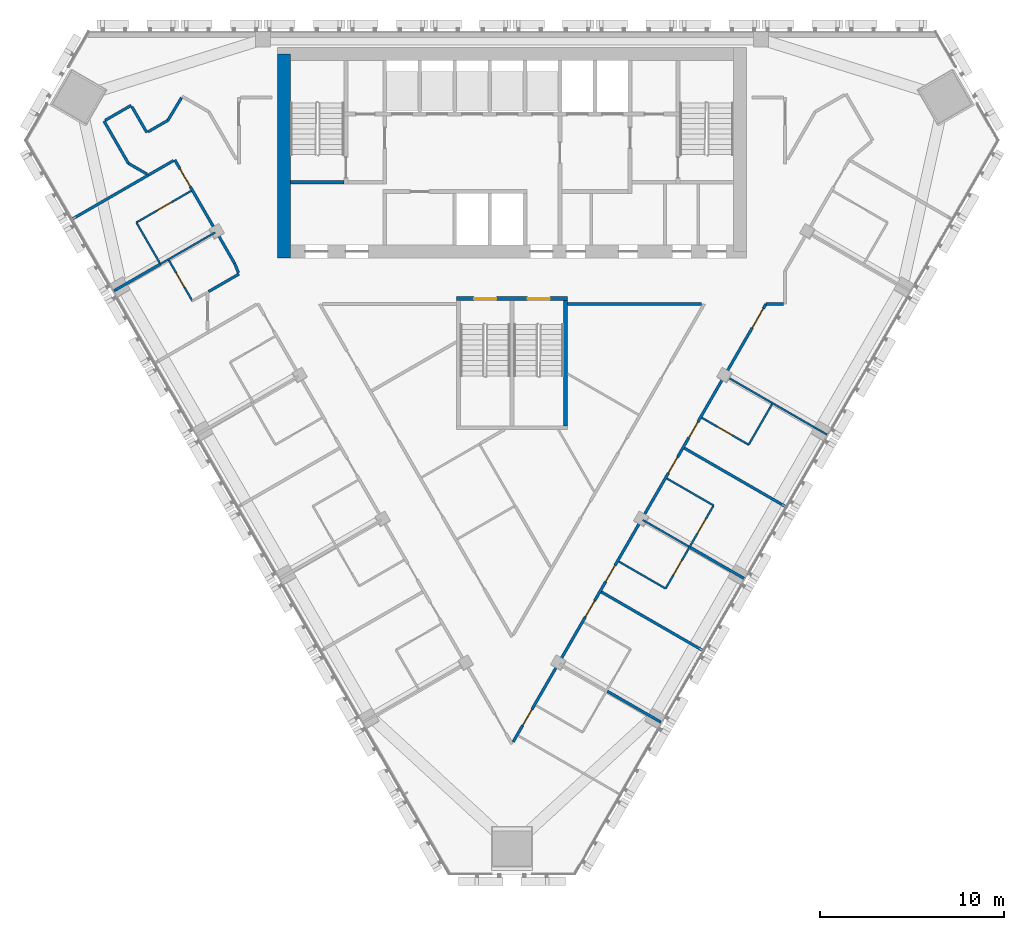
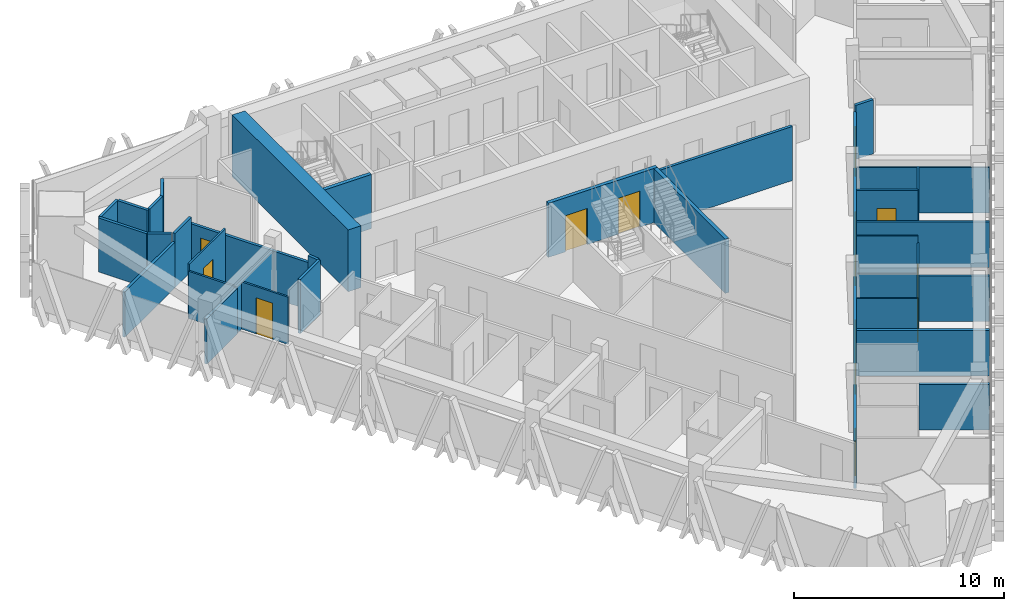
# One storey, part 10 of 16: 34 walls, 14 doors, 14 openings.
"""IFC4 building model written with IfcOpenShell, lengths in metres."""

from ifc_helpers import new_model, si_unit, direction, frame, frame_2d, origin, place, context, subcontext, project, spatial, rectangle, extrude, material, layer, layer_set, type_object, element, fill, save


model = new_model("IFC4")

# Units and contexts
model_context = context("Model", 3, precision=1e-05, world=origin(), true_north=direction((0.0, 1.0)))
body_context = subcontext(model_context, "Body", "Model", "MODEL_VIEW")
ifc_project = project(units=[si_unit("LENGTHUNIT", "METRE"), si_unit("AREAUNIT", "SQUARE_METRE"), si_unit("VOLUMEUNIT", "CUBIC_METRE"), si_unit("PLANEANGLEUNIT", "RADIAN"), si_unit("MASSUNIT", "GRAM", prefix="KILO")], contexts=[model_context])

# Site, building, storey
site_placement = place(None, origin())
site = spatial("IfcSite", under=ifc_project, at=site_placement, CompositionType="ELEMENT")
building_placement = place(site_placement, origin())
building = spatial("IfcBuilding", under=site, at=building_placement, Name="Altiplano Prism Tower", CompositionType="ELEMENT")
storey_placement = place(building_placement, frame((0.0, 0.0, 174.60009765625)))
storey = spatial("IfcBuildingStorey", under=building, at=storey_placement, Name="L45", CompositionType="ELEMENT", Elevation=174.60009765625)

# Walls
ifc_material_1 = material(Name="Concrete C60/75", Category="concrete")
ifc_layer_1 = layer(ifc_material_1, 0.699951171875)
ifc_layer_set_1 = layer_set([ifc_layer_1], Name="Concrete C60/75")
wall_type_1 = type_object("IfcWallType", Name="Core wall 700", PredefinedType="SHEAR", material=ifc_layer_set_1)
wall_1_placement = place(storey_placement, frame((72.64990234375, 103.75, 0.0), z_axis=(0.0, 0.0, 1.0), x_axis=(0.0, -1.0, 0.0)))
element("IfcWall", 1, at=wall_1_placement, inside=storey, type_object=wall_type_1, Name="Core wall W L45", PredefinedType="SHEAR", context=body_context, shape_type="SweptSolid", body=[
    extrude(rectangle(XDim=11.050048828125, YDim=0.699951171875, at=frame_2d((5.52490234375, 0.0))), origin(), (0.0, 0.0, 1.0), 3.599853515625),
])
ifc_material_2 = material(Name="Plasterboard on steel stud", Category="steel")
ifc_layer_2 = layer(ifc_material_2, 0.10009765625)
ifc_layer_set_2 = layer_set([ifc_layer_2], Name="Plasterboard on steel stud")
wall_type_2 = type_object("IfcWallType", Name="Partition 100 unit", PredefinedType="PARTITIONING", material=ifc_layer_set_2)
wall_2_placement = place(storey_placement, frame((65.903564453125, 92.436767578125, 0.0), z_axis=(0.0, 0.0, 1.0), x_axis=(-0.50001820224, 0.866014894461, 0.0)))
element("IfcWall", 2, at=wall_2_placement, inside=storey, type_object=wall_type_2, Name="Partition P02 L45 039", PredefinedType="PARTITIONING", context=body_context, shape_type="SweptSolid", body=[
    extrude(rectangle(XDim=2.52490234375, YDim=0.10009765625, at=frame_2d((1.262451171875, 0.0))), origin(), (0.0, 0.0, 1.0), 2.75),
])

# Wall, opening, door
wall_3_placement = place(storey_placement, frame((64.64111328125, 94.623291015625, 0.0), z_axis=(0.0, 0.0, 1.0), x_axis=(0.866001587311, 0.500041249073, 0.0)))
wall_3 = element("IfcWall", 3, at=wall_3_placement, inside=storey, type_object=wall_type_2, Name="Partition P02 L45 040", PredefinedType="PARTITIONING", context=body_context, shape_type="SweptSolid", body=[
    extrude(rectangle(XDim=3.425048828125, YDim=0.10009765625, at=frame_2d((1.71240234375, 0.0))), origin(), (0.0, 0.0, 1.0), 3.14990234375),
])
opening_1_placement = place(wall_3_placement, frame((1.300048828125, 0.0, 0.0)))
opening_1 = element("IfcOpeningElement", 4, at=opening_1_placement, cuts=wall_3, Name="Opening D1580", PredefinedType="OPENING", context=body_context, shape_type="SweptSolid", body=[
    extrude(rectangle(XDim=0.89990234375, YDim=2.10009765625, at=frame_2d((0.449951171875, 1.050048828125))), frame((0.0, 0.060546875, 0.0), z_axis=(0.0, -1.0, 0.0), x_axis=(1.0, 0.0, 0.0)), (0.0, 0.0, 1.0), 0.12109375),
])
ifc_material_3 = material(Name="Timber", Category="wood")
door_type_1 = type_object("IfcDoorType", Name="Accessible ensuite door 900 x 2100", OperationType="NOTDEFINED", PredefinedType="NOTDEFINED", material=ifc_material_3)
door_1_placement = place(opening_1_placement, origin())
door_1 = element("IfcDoor", 5, at=door_1_placement, inside=storey, type_object=door_type_1, Name="Door D1580", OperationType="SINGLE_SWING_RIGHT", OverallHeight=2.10009765625, OverallWidth=0.89990234375, PredefinedType="NOTDEFINED", context=body_context, shape_type="SweptSolid", body=[
    extrude(rectangle(XDim=0.89990234375, YDim=2.10009765625, at=frame_2d((0.449951171875, 1.050048828125))), frame((0.0, 0.02490234375, 0.0), z_axis=(0.0, -1.0, 0.0), x_axis=(1.0, 0.0, 0.0)), (0.0, 0.0, 1.0), 0.050048828125),
])
fill(opening_1, door_1)

wall_4_placement = place(storey_placement, frame((67.674072265625, 90.3701171875, 0.0), z_axis=(0.0, 0.0, 1.0), x_axis=(-0.499990435942, 0.866030925526, 0.0)))
wall_4 = element("IfcWall", 6, at=wall_4_placement, inside=storey, type_object=wall_type_2, Name="Partition P02 L45 045", PredefinedType="PARTITIONING", context=body_context, shape_type="SweptSolid", body=[
    extrude(rectangle(XDim=2.5498046875, YDim=0.10009765625, at=frame_2d((1.27490234375, 0.0))), origin(), (0.0, 0.0, 1.0), 2.75),
])
opening_2_placement = place(wall_4_placement, frame((0.85400390625, 0.0, 0.0)))
opening_2 = element("IfcOpeningElement", 7, at=opening_2_placement, cuts=wall_4, Name="Opening D1582", PredefinedType="OPENING", context=body_context, shape_type="SweptSolid", body=[
    extrude(rectangle(XDim=0.89990234375, YDim=2.10009765625, at=frame_2d((0.449951171875, 1.050048828125))), frame((0.0, 0.060546875, 0.0), z_axis=(0.0, -1.0, 0.0), x_axis=(1.0, 0.0, 0.0)), (0.0, 0.0, 1.0), 0.12109375),
])
door_type_2 = type_object("IfcDoorType", Name="Ensuite door 900 x 2100", OperationType="NOTDEFINED", PredefinedType="NOTDEFINED", material=ifc_material_3)
door_2_placement = place(opening_2_placement, origin())
door_2 = element("IfcDoor", 8, at=door_2_placement, inside=storey, type_object=door_type_2, Name="Door D1582", OperationType="SINGLE_SWING_RIGHT", OverallHeight=2.10009765625, OverallWidth=0.89990234375, PredefinedType="NOTDEFINED", context=body_context, shape_type="SweptSolid", body=[
    extrude(rectangle(XDim=0.89990234375, YDim=2.10009765625, at=frame_2d((0.449951171875, 1.050048828125))), frame((0.0, 0.02490234375, 0.0), z_axis=(0.0, -1.0, 0.0), x_axis=(1.0, 0.0, 0.0)), (0.0, 0.0, 1.0), 0.050048828125),
])
fill(opening_2, door_2)

# Walls
for number, where, z_axis, x_axis, name in (
    (9, (93.325927734375, 74.781494140625, 0.0), (0.0, 0.0, 1.0), (-0.86601045545, 0.500025890382, 0.0), "Partition P02 L45 071"),
    (10, (93.392822265625, 80.74755859375, 0.0), (0.0, 0.0, 1.0), (0.865989585315, -0.500062034277, 0.0), "Partition P02 L45 074"),
):
    element("IfcWall", number, at=place(storey_placement, frame(where, z_axis=z_axis, x_axis=x_axis)), inside=storey, type_object=wall_type_2, Name=name, PredefinedType="PARTITIONING", context=body_context, shape_type="SweptSolid", body=[
        extrude(rectangle(XDim=2.925048828125, YDim=0.10009765625, at=frame_2d((1.46240234375, 0.0))), origin(), (0.0, 0.0, 1.0), 3.14990234375),
    ])

# Wall, openings, doors
wall_5_placement = place(storey_placement, frame((95.92578125, 79.284912109375, 0.0), z_axis=(0.0, 0.0, 1.0), x_axis=(-0.499971721724, -0.866041729639, 0.0)))
wall_5 = element("IfcWall", 11, at=wall_5_placement, inside=storey, type_object=wall_type_2, Name="Partition P02 L45 075", PredefinedType="PARTITIONING", context=body_context, shape_type="SweptSolid", body=[
    extrude(rectangle(XDim=5.199951171875, YDim=0.10009765625, at=frame_2d((2.60009765625, 0.0))), origin(), (0.0, 0.0, 1.0), 2.75),
])
opening_3_placement = place(wall_5_placement, frame((3.449951171875, 0.0, 0.0)))
opening_3 = element("IfcOpeningElement", 12, at=opening_3_placement, cuts=wall_5, Name="Opening D1599", PredefinedType="OPENING", context=body_context, shape_type="SweptSolid", body=[
    extrude(rectangle(XDim=0.89990234375, YDim=2.10009765625, at=frame_2d((0.449951171875, 1.050048828125))), frame((0.0, 0.060546875, 0.0), z_axis=(0.0, -1.0, 0.0), x_axis=(1.0, 0.0, 0.0)), (0.0, 0.0, 1.0), 0.12109375),
])
opening_4_placement = place(wall_5_placement, frame((0.85009765625, 0.0, 0.0)))
opening_4 = element("IfcOpeningElement", 13, at=opening_4_placement, cuts=wall_5, Name="Opening D1601", PredefinedType="OPENING", context=body_context, shape_type="SweptSolid", body=[
    extrude(rectangle(XDim=0.89990234375, YDim=2.10009765625, at=frame_2d((0.449951171875, 1.050048828125))), frame((0.0, 0.060546875, 0.0), z_axis=(0.0, -1.0, 0.0), x_axis=(1.0, 0.0, 0.0)), (0.0, 0.0, 1.0), 0.12109375),
])
door_3_placement = place(opening_3_placement, origin())
door_3 = element("IfcDoor", 14, at=door_3_placement, inside=storey, type_object=door_type_2, Name="Door D1599", OperationType="SINGLE_SWING_RIGHT", OverallHeight=2.10009765625, OverallWidth=0.89990234375, PredefinedType="NOTDEFINED", context=body_context, shape_type="SweptSolid", body=[
    extrude(rectangle(XDim=0.89990234375, YDim=2.10009765625, at=frame_2d((0.449951171875, 1.050048828125))), frame((0.0, 0.02490234375, 0.0), z_axis=(0.0, -1.0, 0.0), x_axis=(1.0, 0.0, 0.0)), (0.0, 0.0, 1.0), 0.050048828125),
])
fill(opening_3, door_3)
door_4_placement = place(opening_4_placement, origin())
door_4 = element("IfcDoor", 15, at=door_4_placement, inside=storey, type_object=door_type_2, Name="Door D1601", OperationType="SINGLE_SWING_LEFT", OverallHeight=2.10009765625, OverallWidth=0.89990234375, PredefinedType="NOTDEFINED", context=body_context, shape_type="SweptSolid", body=[
    extrude(rectangle(XDim=0.89990234375, YDim=2.10009765625, at=frame_2d((0.449951171875, 1.050048828125))), frame((0.0, 0.02490234375, 0.0), z_axis=(0.0, -1.0, 0.0), x_axis=(1.0, 0.0, 0.0)), (0.0, 0.0, 1.0), 0.050048828125),
])
fill(opening_4, door_4)

# Wall
wall_6_placement = place(storey_placement, frame((99.100830078125, 84.7841796875, 0.0), z_axis=(0.0, 0.0, 1.0), x_axis=(-0.499990435942, -0.866030925526, 0.0)))
element("IfcWall", 16, at=wall_6_placement, inside=storey, type_object=wall_type_2, Name="Partition P02 L45 077", PredefinedType="PARTITIONING", context=body_context, shape_type="SweptSolid", body=[
    extrude(rectangle(XDim=2.5498046875, YDim=0.10009765625, at=frame_2d((1.27490234375, 0.0))), origin(), (0.0, 0.0, 1.0), 2.75),
])

# Wall, opening, door
wall_7_placement = place(storey_placement, frame((97.825927734375, 82.575927734375, 0.0), z_axis=(0.0, 0.0, 1.0), x_axis=(-0.866046596414, 0.499963291492, 0.0)))
wall_7 = element("IfcWall", 17, at=wall_7_placement, inside=storey, type_object=wall_type_2, Name="Partition P02 L45 078", PredefinedType="PARTITIONING", context=body_context, shape_type="SweptSolid", body=[
    extrude(rectangle(XDim=2.925048828125, YDim=0.10009765625, at=frame_2d((1.46240234375, 0.0))), origin(), (0.0, 0.0, 1.0), 3.14990234375),
])
opening_5_placement = place(wall_7_placement, frame((1.050048828125, 0.0, 0.0)))
opening_5 = element("IfcOpeningElement", 18, at=opening_5_placement, cuts=wall_7, Name="Opening D1603", PredefinedType="OPENING", context=body_context, shape_type="SweptSolid", body=[
    extrude(rectangle(XDim=0.89990234375, YDim=2.10009765625, at=frame_2d((0.449951171875, 1.050048828125))), frame((0.0, 0.060546875, 0.0), z_axis=(0.0, -1.0, 0.0), x_axis=(1.0, 0.0, 0.0)), (0.0, 0.0, 1.0), 0.12109375),
])
door_5_placement = place(opening_5_placement, origin())
door_5 = element("IfcDoor", 19, at=door_5_placement, inside=storey, type_object=door_type_2, Name="Door D1603", OperationType="SINGLE_SWING_LEFT", OverallHeight=2.10009765625, OverallWidth=0.89990234375, PredefinedType="NOTDEFINED", context=body_context, shape_type="SweptSolid", body=[
    extrude(rectangle(XDim=0.89990234375, YDim=2.10009765625, at=frame_2d((0.449951171875, 1.050048828125))), frame((0.0, 0.02490234375, 0.0), z_axis=(0.0, -1.0, 0.0), x_axis=(1.0, 0.0, 0.0)), (0.0, 0.0, 1.0), 0.050048828125),
])
fill(opening_5, door_5)

# Walls
ifc_layer_3 = layer(ifc_material_2, 0.10009765625)
ifc_layer_set_3 = layer_set([ifc_layer_3], Name="Plasterboard on steel stud")
wall_type_3 = type_object("IfcWallType", Name="Partition 100 wet", PredefinedType="PARTITIONING", material=ifc_layer_set_3)
wall_8_placement = place(storey_placement, frame((65.923828125, 92.36181640625, 0.0), z_axis=(0.0, 0.0, 1.0), x_axis=(0.866032163869, 0.499988291006, 0.0)))
element("IfcWall", 20, at=wall_8_placement, inside=storey, type_object=wall_type_3, Name="Partition P03 L45 043", PredefinedType="PARTITIONING", context=body_context, shape_type="SweptSolid", body=[
    extrude(rectangle(XDim=3.44482421875, YDim=0.10009765625, at=frame_2d((1.722412109375, 0.0))), origin(), (0.0, 0.0, 1.0), 2.75),
])
wall_9_placement = place(storey_placement, frame((94.58251953125, 77.058349609375, 0.0), z_axis=(0.0, 0.0, 1.0), x_axis=(-0.866018712932, 0.500011588718, 0.0)))
element("IfcWall", 21, at=wall_9_placement, inside=storey, type_object=wall_type_3, Name="Partition P03 L45 073", PredefinedType="PARTITIONING", context=body_context, shape_type="SweptSolid", body=[
    extrude(rectangle(XDim=2.875, YDim=0.10009765625, at=frame_2d((1.4375, 0.0))), origin(), (0.0, 0.0, 1.0), 2.75),
])
wall_10_placement = place(storey_placement, frame((102.0703125, 83.12744140625, 0.0), z_axis=(0.0, 0.0, 1.0), x_axis=(-0.866015887322, 0.500016482634, 0.0)))
element("IfcWall", 22, at=wall_10_placement, inside=storey, type_object=wall_type_3, Name="Partition P03 L45 079", PredefinedType="PARTITIONING", context=body_context, shape_type="SweptSolid", body=[
    extrude(rectangle(XDim=6.324951171875, YDim=0.10009765625, at=frame_2d((3.16259765625, 0.0))), origin(), (0.0, 0.0, 1.0), 2.64990234375),
])
ifc_layer_4 = layer(ifc_material_2, 0.14990234375)
ifc_layer_set_4 = layer_set([ifc_layer_4], Name="Plasterboard on steel stud")
wall_type_4 = type_object("IfcWallType", Name="Partition 150 corridor", PredefinedType="PARTITIONING", material=ifc_layer_set_4)
wall_11_placement = place(storey_placement, frame((65.300048828125, 97.19775390625, 0.0), z_axis=(0.0, 0.0, 1.0), x_axis=(0.86599100931, 0.500059568247, 0.0)))
element("IfcWall", 23, at=wall_11_placement, inside=storey, type_object=wall_type_4, Name="Partition P06 L45 003", PredefinedType="PARTITIONING", context=body_context, shape_type="SweptSolid", body=[
    extrude(rectangle(XDim=1.567138671875, YDim=0.14990234375, at=frame_2d((0.78369140625, 0.0))), origin(), (0.0, 0.0, 1.0), 3.14990234375),
])

# Wall, opening, door
wall_12_placement = place(storey_placement, frame((66.72216796875, 98.018798828125, 0.0), z_axis=(0.0, 0.0, 1.0), x_axis=(0.500008002287, -0.866020783612, 0.0)))
wall_12 = element("IfcWall", 24, at=wall_12_placement, inside=storey, type_object=wall_type_4, Name="Partition P06 L45 004", PredefinedType="PARTITIONING", context=body_context, shape_type="SweptSolid", body=[
    extrude(rectangle(XDim=6.48828125, YDim=0.14990234375, at=frame_2d((3.244140625, 0.0))), origin(), (0.0, 0.0, 1.0), 2.75),
])
opening_6_placement = place(wall_12_placement, frame((0.571044921875, 0.0, 0.0)))
opening_6 = element("IfcOpeningElement", 25, at=opening_6_placement, cuts=wall_12, Name="Opening D1579", PredefinedType="OPENING", context=body_context, shape_type="SweptSolid", body=[
    extrude(rectangle(XDim=1.10009765625, YDim=2.10009765625, at=frame_2d((0.550048828125, 1.050048828125))), frame((0.0, 0.08544921875, 0.0), z_axis=(0.0, -1.0, 0.0), x_axis=(1.0, 0.0, 0.0)), (0.0, 0.0, 1.0), 0.1708984375),
])
door_type_3 = type_object("IfcDoorType", Name="Accessible bedroom door 1100 x 2100", OperationType="NOTDEFINED", PredefinedType="NOTDEFINED", material=ifc_material_3)
door_6_placement = place(opening_6_placement, origin())
door_6 = element("IfcDoor", 26, at=door_6_placement, inside=storey, type_object=door_type_3, Name="Door D1579", OperationType="SINGLE_SWING_RIGHT", OverallHeight=2.10009765625, OverallWidth=1.10009765625, PredefinedType="NOTDEFINED", context=body_context, shape_type="SweptSolid", body=[
    extrude(rectangle(XDim=1.10009765625, YDim=2.10009765625, at=frame_2d((0.550048828125, 1.050048828125))), frame((0.0, 0.02490234375, 0.0), z_axis=(0.0, -1.0, 0.0), x_axis=(1.0, 0.0, 0.0)), (0.0, 0.0, 1.0), 0.050048828125),
])
fill(opening_6, door_6)

# Walls
wall_13_placement = place(storey_placement, frame((69.96630859375, 92.39990234375, 0.0), z_axis=(0.0, 0.0, 1.0), x_axis=(0.378510313682, -0.925597073481, 0.0)))
element("IfcWall", 27, at=wall_13_placement, inside=storey, type_object=wall_type_4, Name="Partition P06 L45 006", PredefinedType="PARTITIONING", context=body_context, shape_type="SweptSolid", body=[
    extrude(rectangle(XDim=0.543212890625, YDim=0.14990234375, at=frame_2d((0.271484375, 0.0))), origin(), (0.0, 0.0, 1.0), 3.14990234375),
])
wall_14_placement = place(storey_placement, frame((70.199951171875, 91.828369140625, 0.0), z_axis=(0.0, 0.0, 1.0), x_axis=(-0.866042076863, -0.499971120268, 0.0)))
element("IfcWall", 28, at=wall_14_placement, inside=storey, type_object=wall_type_4, Name="Partition P06 L45 007", PredefinedType="PARTITIONING", context=body_context, shape_type="SweptSolid", body=[
    extrude(rectangle(XDim=1.89794921875, YDim=0.14990234375, at=frame_2d((0.948974609375, 0.0))), origin(), (0.0, 0.0, 1.0), 3.14990234375),
])

# Wall, openings, doors
wall_15_placement = place(storey_placement, frame((85.06494140625, 66.473388671875, 0.0), z_axis=(0.0, 0.0, 1.0), x_axis=(0.500005289472, 0.866022349885, 0.0)))
wall_15 = element("IfcWall", 29, at=wall_15_placement, inside=storey, type_object=wall_type_4, Name="Partition P06 L45 010", PredefinedType="PARTITIONING", context=body_context, shape_type="SweptSolid", body=[
    extrude(rectangle(XDim=27.397216796875, YDim=0.14990234375, at=frame_2d((13.69873046875, 0.0))), origin(), (0.0, 0.0, 1.0), 2.75),
])
opening_7_placement = place(wall_15_placement, frame((1.030029296875, 0.0, 0.0)))
opening_7 = element("IfcOpeningElement", 30, at=opening_7_placement, cuts=wall_15, Name="Opening D1594", PredefinedType="OPENING", context=body_context, shape_type="SweptSolid", body=[
    extrude(rectangle(XDim=1.0, YDim=2.10009765625, at=frame_2d((0.5, 1.050048828125))), frame((0.0, 0.08544921875, 0.0), z_axis=(0.0, -1.0, 0.0), x_axis=(1.0, 0.0, 0.0)), (0.0, 0.0, 1.0), 0.1708984375),
])
opening_8_placement = place(wall_15_placement, frame((7.821044921875, 0.0, 0.0)))
opening_8 = element("IfcOpeningElement", 31, at=opening_8_placement, cuts=wall_15, Name="Opening D1596", PredefinedType="OPENING", context=body_context, shape_type="SweptSolid", body=[
    extrude(rectangle(XDim=1.0, YDim=2.10009765625, at=frame_2d((0.5, 1.050048828125))), frame((0.0, 0.08544921875, 0.0), z_axis=(0.0, -1.0, 0.0), x_axis=(1.0, 0.0, 0.0)), (0.0, 0.0, 1.0), 0.1708984375),
])
opening_9_placement = place(wall_15_placement, frame((10.030029296875, 0.0, 0.0)))
opening_9 = element("IfcOpeningElement", 32, at=opening_9_placement, cuts=wall_15, Name="Opening D1598", PredefinedType="OPENING", context=body_context, shape_type="SweptSolid", body=[
    extrude(rectangle(XDim=1.0, YDim=2.10009765625, at=frame_2d((0.5, 1.050048828125))), frame((0.0, 0.08544921875, 0.0), z_axis=(0.0, -1.0, 0.0), x_axis=(1.0, 0.0, 0.0)), (0.0, 0.0, 1.0), 0.1708984375),
])
opening_10_placement = place(wall_15_placement, frame((16.821044921875, 0.0, 0.0)))
opening_10 = element("IfcOpeningElement", 33, at=opening_10_placement, cuts=wall_15, Name="Opening D1600", PredefinedType="OPENING", context=body_context, shape_type="SweptSolid", body=[
    extrude(rectangle(XDim=1.0, YDim=2.10009765625, at=frame_2d((0.5, 1.050048828125))), frame((0.0, 0.08544921875, 0.0), z_axis=(0.0, -1.0, 0.0), x_axis=(1.0, 0.0, 0.0)), (0.0, 0.0, 1.0), 0.1708984375),
])
opening_11_placement = place(wall_15_placement, frame((19.030029296875, 0.0, 0.0)))
opening_11 = element("IfcOpeningElement", 34, at=opening_11_placement, cuts=wall_15, Name="Opening D1602", PredefinedType="OPENING", context=body_context, shape_type="SweptSolid", body=[
    extrude(rectangle(XDim=1.0, YDim=2.10009765625, at=frame_2d((0.5, 1.050048828125))), frame((0.0, 0.08544921875, 0.0), z_axis=(0.0, -1.0, 0.0), x_axis=(1.0, 0.0, 0.0)), (0.0, 0.0, 1.0), 0.1708984375),
])
opening_12_placement = place(wall_15_placement, frame((25.912109375, 0.0, 0.0)))
opening_12 = element("IfcOpeningElement", 35, at=opening_12_placement, cuts=wall_15, Name="Opening D1604", PredefinedType="OPENING", context=body_context, shape_type="SweptSolid", body=[
    extrude(rectangle(XDim=1.199951171875, YDim=2.10009765625, at=frame_2d((0.60009765625, 1.050048828125))), frame((0.0, 0.08544921875, 0.0), z_axis=(0.0, -1.0, 0.0), x_axis=(1.0, 0.0, 0.0)), (0.0, 0.0, 1.0), 0.1708984375),
])
door_type_4 = type_object("IfcDoorType", Name="Bedroom entrance door 1000 x 2100", OperationType="NOTDEFINED", PredefinedType="NOTDEFINED", material=ifc_material_3)
door_7_placement = place(opening_7_placement, origin())
door_7 = element("IfcDoor", 36, at=door_7_placement, inside=storey, type_object=door_type_4, Name="Door D1594", OperationType="SINGLE_SWING_LEFT", OverallHeight=2.10009765625, OverallWidth=1.0, PredefinedType="NOTDEFINED", context=body_context, shape_type="SweptSolid", body=[
    extrude(rectangle(XDim=1.0, YDim=2.10009765625, at=frame_2d((0.5, 1.050048828125))), frame((0.0, 0.02490234375, 0.0), z_axis=(0.0, -1.0, 0.0), x_axis=(1.0, 0.0, 0.0)), (0.0, 0.0, 1.0), 0.050048828125),
])
fill(opening_7, door_7)
door_8_placement = place(opening_8_placement, origin())
door_8 = element("IfcDoor", 37, at=door_8_placement, inside=storey, type_object=door_type_4, Name="Door D1596", OperationType="SINGLE_SWING_RIGHT", OverallHeight=2.10009765625, OverallWidth=1.0, PredefinedType="NOTDEFINED", context=body_context, shape_type="SweptSolid", body=[
    extrude(rectangle(XDim=1.0, YDim=2.10009765625, at=frame_2d((0.5, 1.050048828125))), frame((0.0, 0.02490234375, 0.0), z_axis=(0.0, -1.0, 0.0), x_axis=(1.0, 0.0, 0.0)), (0.0, 0.0, 1.0), 0.050048828125),
])
fill(opening_8, door_8)
door_9_placement = place(opening_9_placement, origin())
door_9 = element("IfcDoor", 38, at=door_9_placement, inside=storey, type_object=door_type_4, Name="Door D1598", OperationType="SINGLE_SWING_RIGHT", OverallHeight=2.10009765625, OverallWidth=1.0, PredefinedType="NOTDEFINED", context=body_context, shape_type="SweptSolid", body=[
    extrude(rectangle(XDim=1.0, YDim=2.10009765625, at=frame_2d((0.5, 1.050048828125))), frame((0.0, 0.02490234375, 0.0), z_axis=(0.0, -1.0, 0.0), x_axis=(1.0, 0.0, 0.0)), (0.0, 0.0, 1.0), 0.050048828125),
])
fill(opening_9, door_9)
door_10_placement = place(opening_10_placement, origin())
door_10 = element("IfcDoor", 39, at=door_10_placement, inside=storey, type_object=door_type_4, Name="Door D1600", OperationType="SINGLE_SWING_RIGHT", OverallHeight=2.10009765625, OverallWidth=1.0, PredefinedType="NOTDEFINED", context=body_context, shape_type="SweptSolid", body=[
    extrude(rectangle(XDim=1.0, YDim=2.10009765625, at=frame_2d((0.5, 1.050048828125))), frame((0.0, 0.02490234375, 0.0), z_axis=(0.0, -1.0, 0.0), x_axis=(1.0, 0.0, 0.0)), (0.0, 0.0, 1.0), 0.050048828125),
])
fill(opening_10, door_10)
door_11_placement = place(opening_11_placement, origin())
door_11 = element("IfcDoor", 40, at=door_11_placement, inside=storey, type_object=door_type_4, Name="Door D1602", OperationType="SINGLE_SWING_RIGHT", OverallHeight=2.10009765625, OverallWidth=1.0, PredefinedType="NOTDEFINED", context=body_context, shape_type="SweptSolid", body=[
    extrude(rectangle(XDim=1.0, YDim=2.10009765625, at=frame_2d((0.5, 1.050048828125))), frame((0.0, 0.02490234375, 0.0), z_axis=(0.0, -1.0, 0.0), x_axis=(1.0, 0.0, 0.0)), (0.0, 0.0, 1.0), 0.050048828125),
])
fill(opening_11, door_11)
door_type_5 = type_object("IfcDoorType", Name="Shared room door 1200 x 2100", OperationType="NOTDEFINED", PredefinedType="NOTDEFINED", material=ifc_material_3)
door_12_placement = place(opening_12_placement, origin())
door_12 = element("IfcDoor", 41, at=door_12_placement, inside=storey, type_object=door_type_5, Name="Door D1604", OperationType="SINGLE_SWING_RIGHT", OverallHeight=2.10009765625, OverallWidth=1.199951171875, PredefinedType="NOTDEFINED", context=body_context, shape_type="SweptSolid", body=[
    extrude(rectangle(XDim=1.199951171875, YDim=2.10009765625, at=frame_2d((0.60009765625, 1.050048828125))), frame((0.0, 0.02490234375, 0.0), z_axis=(0.0, -1.0, 0.0), x_axis=(1.0, 0.0, 0.0)), (0.0, 0.0, 1.0), 0.050048828125),
])
fill(opening_12, door_12)

# Walls
wall_16_placement = place(storey_placement, frame((98.763671875, 90.199951171875, 0.0), z_axis=(0.0, 0.0, 1.0), x_axis=(1.0, 0.0, 0.0)))
element("IfcWall", 42, at=wall_16_placement, inside=storey, type_object=wall_type_4, Name="Partition P06 L45 011", PredefinedType="PARTITIONING", context=body_context, shape_type="SweptSolid", body=[
    extrude(rectangle(XDim=0.96142578125, YDim=0.14990234375, at=frame_2d((0.480712890625, 0.0))), origin(), (0.0, 0.0, 1.0), 3.14990234375),
])
wall_17_placement = place(storey_placement, frame((67.08740234375, 101.39208984375, 0.0), z_axis=(0.0, 0.0, 1.0), x_axis=(-0.51479524999, -0.85731315783, 0.0)))
element("IfcWall", 43, at=wall_17_placement, inside=storey, type_object=wall_type_4, Name="Partition P06 L45 024", PredefinedType="PARTITIONING", context=body_context, shape_type="SweptSolid", body=[
    extrude(rectangle(XDim=1.4384765625, YDim=0.14990234375, at=frame_2d((0.71923828125, 0.0))), origin(), (0.0, 0.0, 1.0), 3.14990234375),
])
wall_18_placement = place(storey_placement, frame((66.346923828125, 100.158935546875, 0.0), z_axis=(0.0, 0.0, 1.0), x_axis=(-0.866021999733, -0.500005895944, 0.0)))
element("IfcWall", 44, at=wall_18_placement, inside=storey, type_object=wall_type_4, Name="Partition P06 L45 025", PredefinedType="PARTITIONING", context=body_context, shape_type="SweptSolid", body=[
    extrude(rectangle(XDim=1.24267578125, YDim=0.14990234375, at=frame_2d((0.621337890625, 0.0))), origin(), (0.0, 0.0, 1.0), 3.14990234375),
])
for number, where, z_axis, x_axis, name in (
    (45, (65.205810546875, 99.5, 0.0), (0.0, 0.0, 1.0), (-0.500017246033, 0.866015446554, 0.0), "Partition P06 L45 026"),
    (46, (64.355712890625, 100.97216796875, 0.0), (0.0, 0.0, 1.0), (-0.866015446554, -0.500017246033, 0.0), "Partition P06 L45 027"),
):
    element("IfcWall", number, at=place(storey_placement, frame(where, z_axis=z_axis, x_axis=x_axis)), inside=storey, type_object=wall_type_4, Name=name, PredefinedType="PARTITIONING", context=body_context, shape_type="SweptSolid", body=[
        extrude(rectangle(XDim=1.625, YDim=0.14990234375, at=frame_2d((0.8125, 0.0))), origin(), (0.0, 0.0, 1.0), 3.14990234375),
    ])
wall_19_placement = place(storey_placement, frame((62.883544921875, 100.122314453125, 0.0), z_axis=(0.0, 0.0, 1.0), x_axis=(0.499975083092, -0.86603978909, 0.0)))
element("IfcWall", 47, at=wall_19_placement, inside=storey, type_object=wall_type_4, Name="Partition P06 L45 028", PredefinedType="PARTITIONING", context=body_context, shape_type="SweptSolid", body=[
    extrude(rectangle(XDim=2.649169921875, YDim=0.14990234375, at=frame_2d((1.32470703125, 0.0))), origin(), (0.0, 0.0, 1.0), 3.14990234375),
])
wall_20_placement = place(storey_placement, frame((64.2080078125, 97.828125, 0.0), z_axis=(0.0, 0.0, 1.0), x_axis=(0.866066110499, -0.499929487274, 0.0)))
element("IfcWall", 48, at=wall_20_placement, inside=storey, type_object=wall_type_4, Name="Partition P06 L45 029", PredefinedType="PARTITIONING", context=body_context, shape_type="SweptSolid", body=[
    extrude(rectangle(XDim=1.156982421875, YDim=0.14990234375, at=frame_2d((0.57861328125, 0.0))), origin(), (0.0, 0.0, 1.0), 3.14990234375),
])
wall_21_placement = place(storey_placement, frame((88.0, 90.199951171875, 0.0), z_axis=(0.0, 0.0, 1.0), x_axis=(1.0, 0.0, 0.0)))
element("IfcWall", 49, at=wall_21_placement, inside=storey, type_object=wall_type_4, Name="Partition P06 L45 030", PredefinedType="PARTITIONING", context=body_context, shape_type="SweptSolid", body=[
    extrude(rectangle(XDim=7.28515625, YDim=0.14990234375, at=frame_2d((3.642578125, 0.0))), origin(), (0.0, 0.0, 1.0), 3.14990234375),
])
ifc_layer_5 = layer(ifc_material_2, 0.14990234375)
ifc_layer_set_5 = layer_set([ifc_layer_5], Name="Plasterboard on steel stud")
wall_type_5 = type_object("IfcWallType", Name="Partition 150 party", PredefinedType="PARTITIONING", material=ifc_layer_set_5)
wall_22_placement = place(storey_placement, frame((63.4296875, 90.921630859375, 0.0), z_axis=(0.0, 0.0, 1.0), x_axis=(0.865996226145, 0.500050533749, 0.0)))
element("IfcWall", 50, at=wall_22_placement, inside=storey, type_object=wall_type_5, Name="Partition P01 L45 041", PredefinedType="PARTITIONING", context=body_context, shape_type="SweptSolid", body=[
    extrude(rectangle(XDim=2.920166015625, YDim=0.14990234375, at=frame_2d((1.4599609375, 0.0))), origin(), (0.0, 0.0, 1.0), 2.64990234375),
])
wall_23_placement = place(storey_placement, frame((65.300048828125, 97.19775390625, 0.0), z_axis=(0.0, 0.0, 1.0), x_axis=(-0.866036681201, -0.499980466432, 0.0)))
element("IfcWall", 51, at=wall_23_placement, inside=storey, type_object=wall_type_5, Name="Partition P01 L45 042", PredefinedType="PARTITIONING", context=body_context, shape_type="SweptSolid", body=[
    extrude(rectangle(XDim=4.778076171875, YDim=0.14990234375, at=frame_2d((2.38916015625, 0.0))), origin(), (0.0, 0.0, 1.0), 2.64990234375),
])
wall_24_placement = place(storey_placement, frame((93.0703125, 67.5390625, 0.0), z_axis=(0.0, 0.0, 1.0), x_axis=(-0.866014461049, 0.500018952895, 0.0)))
element("IfcWall", 52, at=wall_24_placement, inside=storey, type_object=wall_type_5, Name="Partition P01 L45 066", PredefinedType="PARTITIONING", context=body_context, shape_type="SweptSolid", body=[
    extrude(rectangle(XDim=3.349853515625, YDim=0.14990234375, at=frame_2d((1.6748046875, 0.0))), origin(), (0.0, 0.0, 1.0), 2.64990234375),
])
wall_25_placement = place(storey_placement, frame((95.337890625, 71.426025390625, 0.0), z_axis=(0.0, 0.0, 1.0), x_axis=(-0.866025401434, 0.500000004071, 0.0)))
element("IfcWall", 53, at=wall_25_placement, inside=storey, type_object=wall_type_5, Name="Partition P01 L45 070", PredefinedType="PARTITIONING", context=body_context, shape_type="SweptSolid", body=[
    extrude(rectangle(XDim=6.34521484375, YDim=0.14990234375, at=frame_2d((3.172607421875, 0.0))), origin(), (0.0, 0.0, 1.0), 2.64990234375),
])
wall_26_placement = place(storey_placement, frame((97.5703125, 75.333251953125, 0.0), z_axis=(0.0, 0.0, 1.0), x_axis=(-0.866014461049, 0.500018952895, 0.0)))
element("IfcWall", 54, at=wall_26_placement, inside=storey, type_object=wall_type_5, Name="Partition P01 L45 072", PredefinedType="PARTITIONING", context=body_context, shape_type="SweptSolid", body=[
    extrude(rectangle(XDim=3.349853515625, YDim=0.14990234375, at=frame_2d((1.6748046875, 0.0))), origin(), (0.0, 0.0, 1.0), 2.64990234375),
])
wall_27_placement = place(storey_placement, frame((99.837890625, 79.22021484375, 0.0), z_axis=(0.0, 0.0, 1.0), x_axis=(-0.866025401434, 0.500000004071, 0.0)))
element("IfcWall", 55, at=wall_27_placement, inside=storey, type_object=wall_type_5, Name="Partition P01 L45 076", PredefinedType="PARTITIONING", context=body_context, shape_type="SweptSolid", body=[
    extrude(rectangle(XDim=6.34521484375, YDim=0.14990234375, at=frame_2d((3.172607421875, 0.0))), origin(), (0.0, 0.0, 1.0), 2.64990234375),
])
ifc_layer_6 = layer(ifc_material_1, 0.199951171875)
ifc_layer_set_6 = layer_set([ifc_layer_6], Name="Concrete C60/75")
wall_type_6 = type_object("IfcWallType", Name="Stair wall 200", PredefinedType="SOLIDWALL", material=ifc_layer_set_6)
wall_28_placement = place(storey_placement, frame((73.0, 96.800048828125, 0.0), z_axis=(0.0, 0.0, 1.0), x_axis=(1.0, 0.0, 0.0)))
element("IfcWall", 56, at=wall_28_placement, inside=storey, type_object=wall_type_6, Name="Stair wall L45", PredefinedType="SOLIDWALL", context=body_context, shape_type="SweptSolid", body=[
    extrude(rectangle(XDim=2.89990234375, YDim=0.199951171875, at=frame_2d((1.449951171875, 0.0))), origin(), (0.0, 0.0, 1.0), 3.14990234375),
])

# Wall, openings, doors
wall_29_placement = place(storey_placement, frame((82.0, 90.5, 0.0), z_axis=(0.0, 0.0, 1.0), x_axis=(1.0, 0.0, 0.0)))
wall_29 = element("IfcWall", 57, at=wall_29_placement, inside=storey, type_object=wall_type_6, Name="Stair 3 wall north L45", PredefinedType="SOLIDWALL", context=body_context, shape_type="SweptSolid", body=[
    extrude(rectangle(XDim=6.0, YDim=0.199951171875, at=frame_2d((3.0, 0.0))), origin(), (0.0, 0.0, 1.0), 3.14990234375),
])
opening_13_placement = place(wall_29_placement, frame((0.949951171875, 0.0, 0.0)))
opening_13 = element("IfcOpeningElement", 58, at=opening_13_placement, cuts=wall_29, Name="Opening D4012", PredefinedType="OPENING", context=body_context, shape_type="SweptSolid", body=[
    extrude(rectangle(XDim=1.199951171875, YDim=2.10009765625, at=frame_2d((0.60009765625, 1.050048828125))), frame((0.0, 0.1103515625, 0.0), z_axis=(0.0, -1.0, 0.0), x_axis=(1.0, 0.0, 0.0)), (0.0, 0.0, 1.0), 0.220947265625),
])
opening_14_placement = place(wall_29_placement, frame((3.85009765625, 0.0, 0.0)))
opening_14 = element("IfcOpeningElement", 59, at=opening_14_placement, cuts=wall_29, Name="Opening D4013", PredefinedType="OPENING", context=body_context, shape_type="SweptSolid", body=[
    extrude(rectangle(XDim=1.199951171875, YDim=2.10009765625, at=frame_2d((0.60009765625, 1.050048828125))), frame((0.0, 0.1103515625, 0.0), z_axis=(0.0, -1.0, 0.0), x_axis=(1.0, 0.0, 0.0)), (0.0, 0.0, 1.0), 0.220947265625),
])
ifc_material_4 = material(Name="Fire-rated steel door", Category="steel")
door_type_6 = type_object("IfcDoorType", Name="Stair fire door 1200 x 2100", OperationType="NOTDEFINED", PredefinedType="NOTDEFINED", material=ifc_material_4)
door_13_placement = place(opening_13_placement, origin())
door_13 = element("IfcDoor", 60, at=door_13_placement, inside=storey, type_object=door_type_6, Name="Stair fire door D4012", OperationType="SINGLE_SWING_LEFT", OverallHeight=2.10009765625, OverallWidth=1.199951171875, PredefinedType="NOTDEFINED", context=body_context, shape_type="SweptSolid", body=[
    extrude(rectangle(XDim=1.199951171875, YDim=2.10009765625, at=frame_2d((0.60009765625, 1.050048828125))), frame((0.0, 0.02490234375, 0.0), z_axis=(0.0, -1.0, 0.0), x_axis=(1.0, 0.0, 0.0)), (0.0, 0.0, 1.0), 0.050048828125),
])
fill(opening_13, door_13)
door_14_placement = place(opening_14_placement, origin())
door_14 = element("IfcDoor", 61, at=door_14_placement, inside=storey, type_object=door_type_6, Name="Stair fire door D4013", OperationType="SINGLE_SWING_LEFT", OverallHeight=2.10009765625, OverallWidth=1.199951171875, PredefinedType="NOTDEFINED", context=body_context, shape_type="SweptSolid", body=[
    extrude(rectangle(XDim=1.199951171875, YDim=2.10009765625, at=frame_2d((0.60009765625, 1.050048828125))), frame((0.0, 0.02490234375, 0.0), z_axis=(0.0, -1.0, 0.0), x_axis=(1.0, 0.0, 0.0)), (0.0, 0.0, 1.0), 0.050048828125),
])
fill(opening_14, door_14)

# Wall
wall_30_placement = place(storey_placement, frame((87.89990234375, 83.60009765625, 0.0), z_axis=(0.0, 0.0, 1.0), x_axis=(0.0, 1.0, 0.0)))
element("IfcWall", 62, at=wall_30_placement, inside=storey, type_object=wall_type_6, Name="Stair 3 wall east L45", PredefinedType="SOLIDWALL", context=body_context, shape_type="SweptSolid", body=[
    extrude(rectangle(XDim=6.7998046875, YDim=0.199951171875, at=frame_2d((3.39990234375, 0.0))), origin(), (0.0, 0.0, 1.0), 3.14990234375),
])

save(model, "model.ifc")
